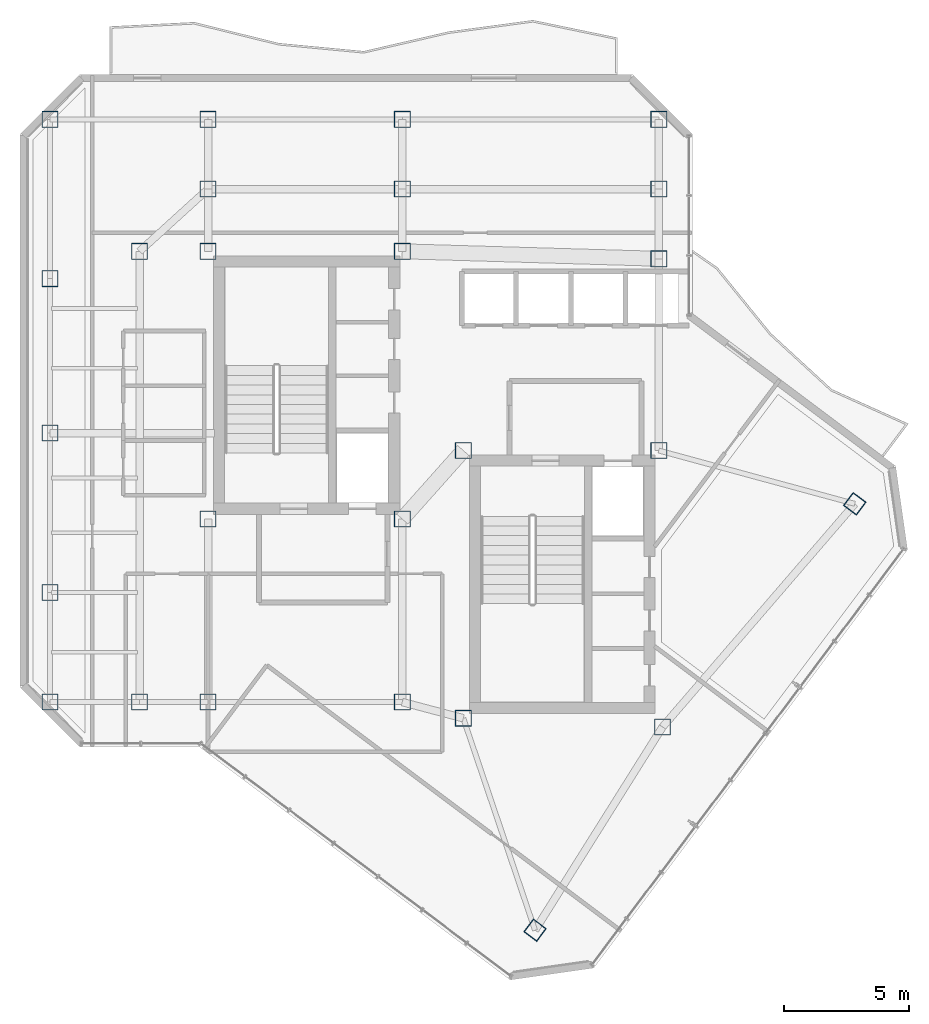
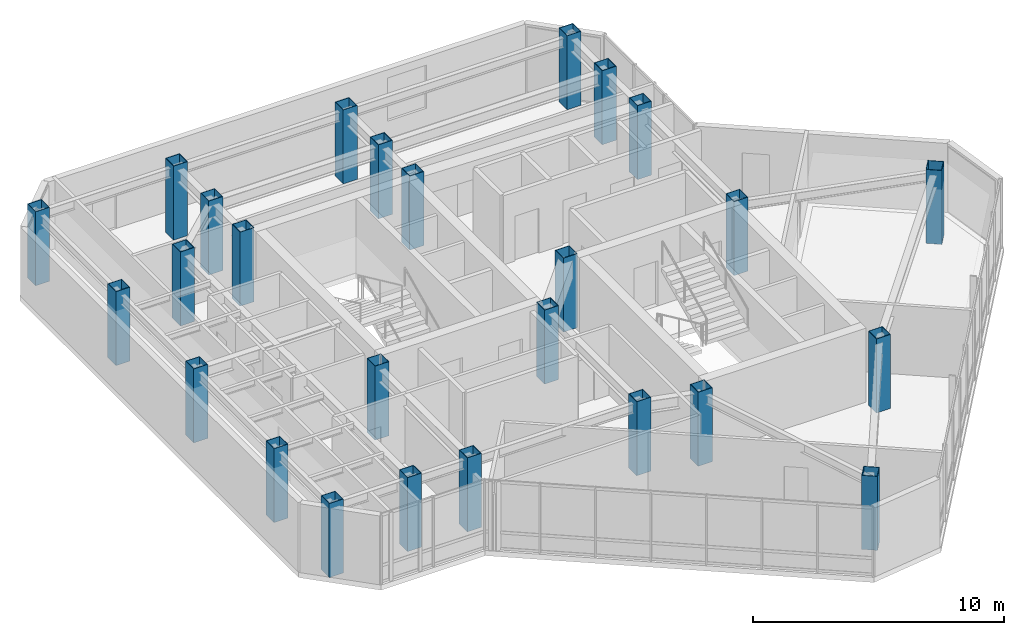
# One storey, part 1 of 18: 26 columns.
"""IFC4 building model written with IfcOpenShell, lengths in metres."""

from ifc_helpers import new_model, si_unit, direction, frame, origin, origin_2d, place, context, subcontext, project, spatial, hollow_rectangle, extrude, material, material_profile, profile_set, type_object, element, save


model = new_model("IFC4")

# Units and contexts
model_context = context("Model", 3, precision=1e-05, world=origin(), true_north=direction((0.0, 1.0)))
body_context = subcontext(model_context, "Body", "Model", "MODEL_VIEW")
ifc_project = project(units=[si_unit("LENGTHUNIT", "METRE"), si_unit("AREAUNIT", "SQUARE_METRE"), si_unit("VOLUMEUNIT", "CUBIC_METRE"), si_unit("PLANEANGLEUNIT", "RADIAN"), si_unit("MASSUNIT", "GRAM", prefix="KILO")], contexts=[model_context])

# Site, building, storey
site_placement = place(None, origin())
site = spatial("IfcSite", under=ifc_project, at=site_placement, CompositionType="ELEMENT")
building_placement = place(site_placement, origin())
building = spatial("IfcBuilding", under=site, at=building_placement, Name="Hatsunagi Terrace Concourse", CompositionType="ELEMENT")
storey_placement = place(building_placement, frame((0.0, 0.0, 250.35009765625)))
storey = spatial("IfcBuildingStorey", under=building, at=storey_placement, Name="L66", CompositionType="ELEMENT", Elevation=250.35009765625)

# Columns
ifc_material = material(Name="Steel BCP325T", Category="steel")
ifc_material_profile = material_profile(ifc_material, hollow_rectangle(XDim=0.64990234375, YDim=0.64990234375, WallThickness=0.02490234375, at=origin_2d()), Name="BCP-650x650x25")
ifc_profile_set = profile_set([ifc_material_profile], Name="Steel BCP325T")
column_type = type_object("IfcColumnType", Name="TowerBoxColumn_650x650x25", PredefinedType="COLUMN", material=ifc_profile_set)
for number, where, z_axis, x_axis, name in (
    (1, (25.550048828125, 32.550048828125, 0.0), (0.0, 0.0, 1.0), (1.0, 0.0, 0.0), "Column C-09 L66-CASW"),
    (2, (33.35009765625, 32.550048828125, 0.0), (0.0, 0.0, 1.0), (1.0, 0.0, 0.0), "Column C-09 L66-CASE"),
    (3, (25.550048828125, 43.300048828125, 0.0), (0.0, 0.0, 1.0), (1.0, 0.0, 0.0), "Column C-09 L66-CANW"),
    (4, (33.35009765625, 43.300048828125, 0.0), (0.0, 0.0, 1.0), (1.0, 0.0, 0.0), "Column C-09 L66-CANE"),
    (5, (35.800048828125, 24.550048828125, 0.0), (0.0, 0.0, 1.0), (1.0, 0.0, 0.0), "Column C-09 L66-CBSW"),
    (6, (43.800048828125, 24.199951171875, 0.0), (0.0, 0.0, 1.0), (1.0, 0.0, 0.0), "Column C-09 L66-CBSE"),
    (7, (35.800048828125, 35.300048828125, 0.0), (0.0, 0.0, 1.0), (1.0, 0.0, 0.0), "Column C-09 L66-CBNW"),
    (8, (43.64990234375, 35.300048828125, 0.0), (0.0, 0.0, 1.0), (1.0, 0.0, 0.0), "Column C-09 L66-CBNE"),
    (9, (25.550048828125, 25.199951171875, 0.0), (0.0, 0.0, 1.0), (1.0, 0.0, 0.0), "Column C-09 L66-K1"),
    (10, (33.35009765625, 25.199951171875, 0.0), (0.0, 0.0, 1.0), (1.0, 0.0, 0.0), "Column C-09 L66-K2"),
    (11, (43.64990234375, 43.0, 0.0), (0.0, 0.0, 1.0), (1.0, 0.0, 0.0), "Column C-09 L66-K3"),
    (12, (25.550048828125, 45.800048828125, 0.0), (0.0, 0.0, 1.0), (1.0, 0.0, 0.0), "Column C-09 L66-CN1"),
    (13, (33.35009765625, 45.800048828125, 0.0), (0.0, 0.0, 1.0), (1.0, 0.0, 0.0), "Column C-09 L66-CN2"),
    (14, (43.64990234375, 45.800048828125, 0.0), (0.0, 0.0, 1.0), (1.0, 0.0, 0.0), "Column C-09 L66-CN3"),
    (15, (19.199951171875, 48.60009765625, 0.0), (0.0, 0.0, 1.0), (1.0, 0.0, 0.0), "Column C-09 L66-WN3"),
    (16, (25.550048828125, 48.60009765625, 0.0), (0.0, 0.0, 1.0), (1.0, 0.0, 0.0), "Column C-09 L66-WN4"),
    (17, (33.35009765625, 48.60009765625, 0.0), (0.0, 0.0, 1.0), (1.0, 0.0, 0.0), "Column C-09 L66-WN5"),
    (18, (43.64990234375, 48.60009765625, 0.0), (0.0, 0.0, 1.0), (1.0, 0.0, 0.0), "Column C-09 L66-WN6"),
    (19, (19.199951171875, 25.199951171875, 0.0), (0.0, 0.0, 1.0), (1.0, 0.0, 0.0), "Column C-09 L66-WS3"),
    (20, (19.199951171875, 29.60009765625, 0.0), (0.0, 0.0, 1.0), (1.0, 0.0, 0.0), "Column C-09 L66-WR1"),
    (21, (19.199951171875, 42.199951171875, 0.0), (0.0, 0.0, 1.0), (1.0, 0.0, 0.0), "Column C-09 L66-WR2"),
    (22, (22.800048828125, 25.199951171875, 0.0), (0.0, 0.0, 1.0), (1.0, 0.0, 0.0), "Column C-09 L66-CW1"),
    (23, (22.800048828125, 43.300048828125, 0.0), (0.0, 0.0, 1.0), (1.0, 0.0, 0.0), "Column C-09 L66-CW2"),
    (24, (19.199951171875, 36.0, 0.0), (0.0, 0.0, 1.0), (1.0, 0.0, 0.0), "Column C-09 L66-WT2"),
    (25, (38.679931640625, 16.0400390625, 0.0), (0.0, 0.0, 1.0), (0.799999996291, -0.600000004945, 0.0), "Column C-09 L66-SES1"),
    (26, (51.52001953125, 33.159912109375, 0.0), (0.0, 0.0, 1.0), (0.799999996291, -0.600000004945, 0.0), "Column C-09 L66-SEN1"),
):
    element("IfcColumn", number, at=place(storey_placement, frame(where, z_axis=z_axis, x_axis=x_axis)), inside=storey, type_object=column_type, Name=name, PredefinedType="COLUMN", context=body_context, shape_type="SweptSolid", body=[
        extrude(hollow_rectangle(XDim=0.64990234375, YDim=0.64990234375, WallThickness=0.02490234375, at=origin_2d()), origin(), (0.0, 0.0, 1.0), 3.599853515625),
    ])

save(model, "model.ifc")
